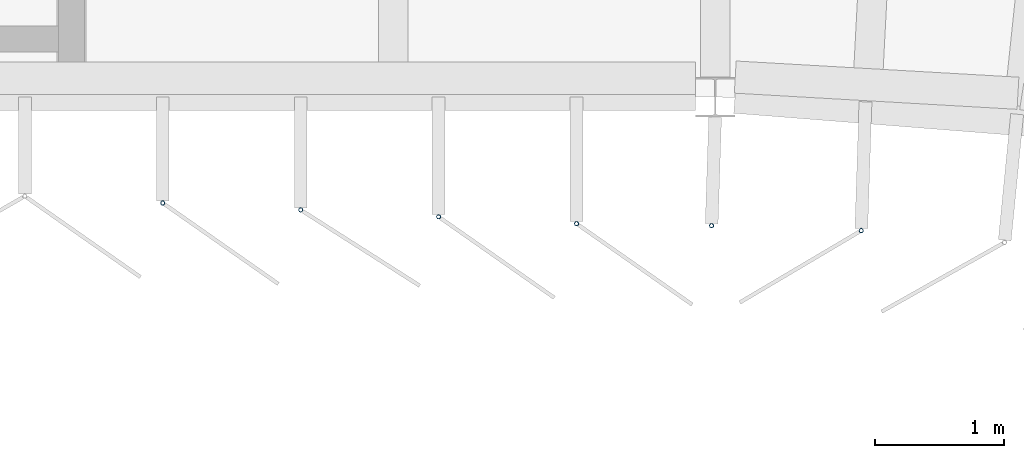
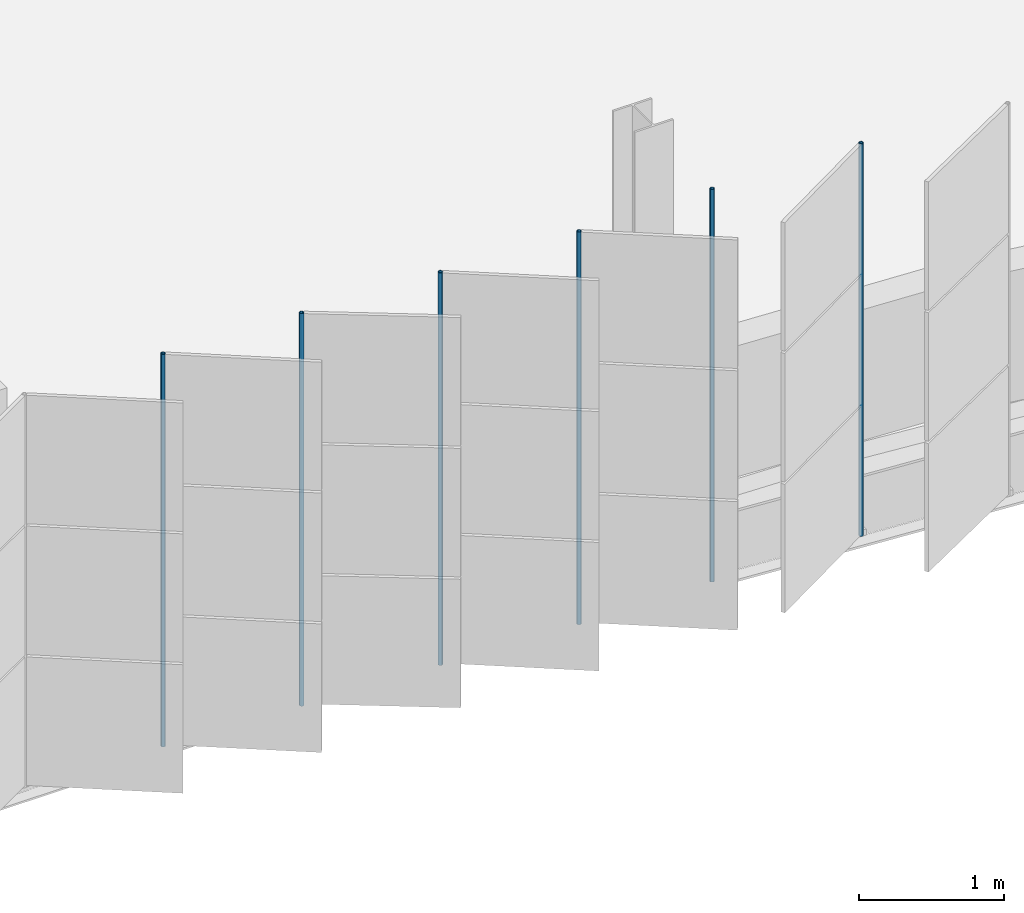
# One storey, part 113 of 199: 6 discrete accessories.
"""IFC4 building model written with IfcOpenShell, lengths in metres."""

import ifcopenshell
import ifcopenshell.guid

model = None  # the IFC model being written
_history = None  # IfcOwnerHistory: only IFC2X3 demands one
_inside = {}  # id of a spatial element -> (the spatial element, [elements in it])
_under = {}  # id of a project, library or spatial element -> (it, [spatial elements below it])
_declared = {}  # id of a project -> (the project, [libraries it declares])
_typed = {}  # id of a type object -> (the type object, [elements of that type])
_made_of = {}  # id of a material, layer set ... -> (it, [elements and type objects made of it])


def new_model(schema):
    """Start an empty IFC model of exactly this schema.

    Asked for "IFC4X3", IfcOpenShell would pick the latest addendum, in which some entities
    have other attributes; the version numbers below select the first issue.
    IFC2X3 requires an IfcOwnerHistory on every rooted entity: one is made here for all.
    """
    global model, _history
    if schema == "IFC4X3":
        model = ifcopenshell.file(schema_version=(4, 3, 0, 0))
    else:
        model = ifcopenshell.file(schema=schema)
    _inside.clear()
    _under.clear()
    _declared.clear()
    _typed.clear()
    _made_of.clear()
    _history = None
    if model.schema == "IFC2X3":
        org = make("IfcOrganization", Name="unknown")
        user = make(
            "IfcPersonAndOrganization",
            ThePerson=make("IfcPerson", FamilyName="unknown"),
            TheOrganization=org,
        )
        app = make(
            "IfcApplication",
            ApplicationDeveloper=org,
            Version="unknown",
            ApplicationFullName="unknown",
            ApplicationIdentifier="unknown",
        )
        _history = make(
            "IfcOwnerHistory",
            OwningUser=user,
            OwningApplication=app,
            ChangeAction="ADDED",
            CreationDate=0,
        )
    return model


def make(cls, **values):
    """One entity of the class cls with the attributes given. An attribute that is None is left unset."""
    return model.create_entity(
        cls, **{name: value for name, value in values.items() if value is not None}
    )


def rooted(cls, **values):
    """An entity with a GlobalId (a new one), such as an element, a storey or a relation."""
    return make(cls, GlobalId=ifcopenshell.guid.new(), OwnerHistory=_history, **values)


def si_unit(unit_type, name, prefix=None):
    """IfcSIUnit, for example si_unit("LENGTHUNIT", "METRE", prefix="MILLI")."""
    return make("IfcSIUnit", UnitType=unit_type, Prefix=prefix, Name=name)


def assignment(units):
    """IfcUnitAssignment: the units of a project."""
    return None if units is None else make("IfcUnitAssignment", Units=units)


def point(xyz):
    """IfcCartesianPoint."""
    return None if xyz is None else make("IfcCartesianPoint", Coordinates=xyz)


def direction(xyz):
    """IfcDirection."""
    return None if xyz is None else make("IfcDirection", DirectionRatios=xyz)


def frame(location, z_axis=None, x_axis=None):
    """IfcAxis2Placement3D, a coordinate frame: its origin and axes. An axis left out is left unset."""
    return make(
        "IfcAxis2Placement3D",
        Location=point(location),
        Axis=direction(z_axis),
        RefDirection=direction(x_axis),
    )


def frame_2d(location, x_axis=None):
    """IfcAxis2Placement2D, a coordinate frame in the plane: its origin and x axis."""
    return make(
        "IfcAxis2Placement2D", Location=point(location), RefDirection=direction(x_axis)
    )


def origin():
    """The frame at (0, 0, 0) with its axes left unset."""
    return frame((0.0, 0.0, 0.0))


def origin_2d():
    """The frame at (0, 0) in the plane with its x axis left unset."""
    return frame_2d((0.0, 0.0))


def place(relative_to, where):
    """IfcLocalPlacement: puts the frame where relative to a parent placement (None: the world)."""
    return make(
        "IfcLocalPlacement", PlacementRelTo=relative_to, RelativePlacement=where
    )


def context(
    kind, dimensions, precision=None, world=None, true_north=None, identifier=None
):
    """IfcGeometricRepresentationContext, for example the 3D "Model" context."""
    return make(
        "IfcGeometricRepresentationContext",
        ContextIdentifier=identifier,
        ContextType=kind,
        CoordinateSpaceDimension=dimensions,
        Precision=precision,
        WorldCoordinateSystem=world,
        TrueNorth=true_north,
    )


def subcontext(parent, identifier, kind, view, scale=None):
    """IfcGeometricRepresentationSubContext, for example "Body" below "Model"."""
    return make(
        "IfcGeometricRepresentationSubContext",
        ContextIdentifier=identifier,
        ContextType=kind,
        ParentContext=parent,
        TargetScale=scale,
        TargetView=view,
    )


def project(units=None, contexts=None):
    """IfcProject with its units and contexts."""
    return rooted(
        "IfcProject",
        Name="project",
        RepresentationContexts=contexts,
        UnitsInContext=assignment(units),
    )


def spatial(cls, under=None, at=None, **own):
    """A site, building, storey or space (cls), placed at a placement, below another one or the project."""
    s = rooted(cls, ObjectPlacement=at, **own)
    if under is not None:
        _under.setdefault(under.id(), (under, []))[1].append(s)
    return s


def profile(cls, at=None, kind="AREA", **sizes):
    """A parametric profile (cls). Its sizes go by their IFC names, for example OverallWidth=200.0."""
    return make(cls, ProfileType=kind, Position=at, **sizes)


def hollow_circle(**sizes):
    """IfcCircleHollowProfileDef."""
    return profile("IfcCircleHollowProfileDef", **sizes)


def extrude(swept, where, along, depth):
    """IfcExtrudedAreaSolid: the profile swept, set in the frame where, extruded along a direction by depth."""
    return make(
        "IfcExtrudedAreaSolid",
        SweptArea=swept,
        Position=where,
        ExtrudedDirection=direction(along),
        Depth=depth,
    )


def shape(context_of_items, identifier, shape_type, items):
    """IfcShapeRepresentation: the items that make up one representation, for example the "Body"."""
    return make(
        "IfcShapeRepresentation",
        ContextOfItems=context_of_items,
        RepresentationIdentifier=identifier,
        RepresentationType=shape_type,
        Items=items,
    )


def material(Name=None, Category=None):
    """IfcMaterial."""
    return make("IfcMaterial", Name=Name, Category=Category)


def material_profile(
    of_material, cross_section, Name=None, Category=None, Priority=None
):
    """IfcMaterialProfile: a cross section and its material."""
    return make(
        "IfcMaterialProfile",
        Name=Name,
        Material=of_material,
        Profile=cross_section,
        Priority=Priority,
        Category=Category,
    )


def profile_set(profiles, Name=None, composite=None):
    """IfcMaterialProfileSet."""
    return make(
        "IfcMaterialProfileSet",
        Name=Name,
        MaterialProfiles=profiles,
        CompositeProfile=composite,
    )


def made_of(thing, what):
    """Note that an element or type object is made of a material, layer set ...; save() writes the relation."""
    if what is not None:
        _made_of.setdefault(what.id(), (what, []))[1].append(thing)
    return thing


def type_object(cls, material=None, **own):
    """A type object (cls), such as IfcWallType, which elements share."""
    return made_of(rooted(cls, **own), material)


def element(
    cls,
    number,
    at=None,
    inside=None,
    cuts=None,
    type_object=None,
    material=None,
    context=None,
    identifier="Body",
    shape_type=None,
    held_by="IfcProductDefinitionShape",
    body=None,
    shapes=None,
    **own,
):
    """One element of the class cls, such as IfcWall. Its Tag is "e" and its number.

    at: its placement. inside: the storey or other place that contains it. cuts: it is an
    opening in that element (IfcRelVoidsElement). A single representation is given by context,
    identifier, shape_type and body (its items); several are given by shapes. held_by: the class
    of the entity that holds the representations. save() writes the other relations.
    """
    e = rooted(cls, Tag="e%d" % number, ObjectPlacement=at, **own)
    if body is not None:
        shapes = [shape(context, identifier, shape_type, body)]
    if shapes is not None:
        e.Representation = make(held_by, Representations=shapes)
    if inside is not None:
        _inside.setdefault(inside.id(), (inside, []))[1].append(e)
    if cuts is not None:
        rooted(
            "IfcRelVoidsElement", RelatingBuildingElement=cuts, RelatedOpeningElement=e
        )
    if type_object is not None:
        _typed.setdefault(type_object.id(), (type_object, []))[1].append(e)
    return made_of(e, material)


def aggregate(whole, parts):
    """IfcRelAggregates: a whole, such as a stair, and the parts it consists of."""
    return rooted("IfcRelAggregates", RelatingObject=whole, RelatedObjects=parts)


def save(model, path):
    """Write the relations noted so far, then the file.

    IfcRelAggregates (storeys below a building ...), IfcRelContainedInSpatialStructure (elements
    in a storey), IfcRelDefinesByType, IfcRelAssociatesMaterial and IfcRelDeclares: one each for
    every whole, place, type object, material and project.
    """
    for whole, parts in _under.values():
        aggregate(whole, parts)
    for where, things in _inside.values():
        rooted(
            "IfcRelContainedInSpatialStructure",
            RelatedElements=things,
            RelatingStructure=where,
        )
    for kind, things in _typed.values():
        rooted("IfcRelDefinesByType", RelatedObjects=things, RelatingType=kind)
    for what, things in _made_of.values():
        rooted("IfcRelAssociatesMaterial", RelatedObjects=things, RelatingMaterial=what)
    for by, libraries in _declared.values():
        rooted("IfcRelDeclares", RelatingContext=by, RelatedDefinitions=libraries)
    model.write(path)


model = new_model("IFC4")

# Units and contexts
model_context = context("Model", 3, precision=1e-05, world=origin(), true_north=direction((0.0, 1.0)))
body_context = subcontext(model_context, "Body", "Model", "MODEL_VIEW")
ifc_project = project(units=[si_unit("LENGTHUNIT", "METRE"), si_unit("AREAUNIT", "SQUARE_METRE"), si_unit("VOLUMEUNIT", "CUBIC_METRE"), si_unit("PLANEANGLEUNIT", "RADIAN"), si_unit("MASSUNIT", "GRAM", prefix="KILO")], contexts=[model_context])

# Site, building, storey
site_placement = place(None, origin())
site = spatial("IfcSite", under=ifc_project, at=site_placement, CompositionType="ELEMENT")
building_placement = place(site_placement, origin())
building = spatial("IfcBuilding", under=site, at=building_placement, Name="Parallax Yard Mobility Hub", CompositionType="ELEMENT")
storey_placement = place(building_placement, frame((0.0, 0.0, 9.89990234375)))
storey = spatial("IfcBuildingStorey", under=building, at=storey_placement, Name="L03", CompositionType="ELEMENT", Elevation=9.89990234375)

# Discrete accessories
ifc_material = material(Name="Steel ASTM A500 Gr C, hot-dip galvanised", Category="steel")
ifc_material_profile = material_profile(ifc_material, hollow_circle(Radius=0.016845703125, WallThickness=0.003173828125, at=origin_2d()), Name="CHS 33.7x3.2")
ifc_profile_set = profile_set([ifc_material_profile], Name="Steel ASTM A500 Gr C, hot-dip galvanised")
discrete_accessory_type = type_object("IfcDiscreteAccessoryType", Name="Hinge post CHS 33.7x3.2", PredefinedType="BRACKET", material=ifc_profile_set)
for number, where, z_axis, x_axis, name in (
    (1, (168.208984375, 111.6767578125, 0.0), (0.0, 0.0, 1.0), (1.0, 0.0, 0.0), "Hinge post bay 17.4 level L03"),
    (2, (169.280517578125, 111.623291015625, 0.0), (0.0, 0.0, 1.0), (1.0, 0.0, 0.0), "Hinge post bay 17.5 level L03"),
    (3, (170.35205078125, 111.569580078125, 0.0), (0.0, 0.0, 1.0), (1.0, 0.0, 0.0), "Hinge post bay 17.6 level L03"),
    (4, (171.423583984375, 111.51611328125, 0.0), (0.0, 0.0, 1.0), (1.0, 0.0, 0.0), "Hinge post bay 17.7 level L03"),
    (5, (172.47216796875, 111.50048828125, 0.0), (0.0, 0.0, 1.0), (1.0, 0.0, 0.0), "Hinge post bay 18.1 level L03"),
    (6, (173.634521484375, 111.46240234375, 0.0), (0.0, 0.0, 1.0), (1.0, 0.0, 0.0), "Hinge post bay 18.2 level L03"),
):
    element("IfcDiscreteAccessory", number, at=place(storey_placement, frame(where, z_axis=z_axis, x_axis=x_axis)), inside=storey, type_object=discrete_accessory_type, Name=name, PredefinedType="BRACKET", context=body_context, shape_type="SweptSolid", body=[
        extrude(hollow_circle(Radius=0.016845703125, WallThickness=0.003173828125, at=origin_2d()), origin(), (0.0, 0.0, 1.0), 3.300048828125),
    ])

save(model, "model.ifc")
